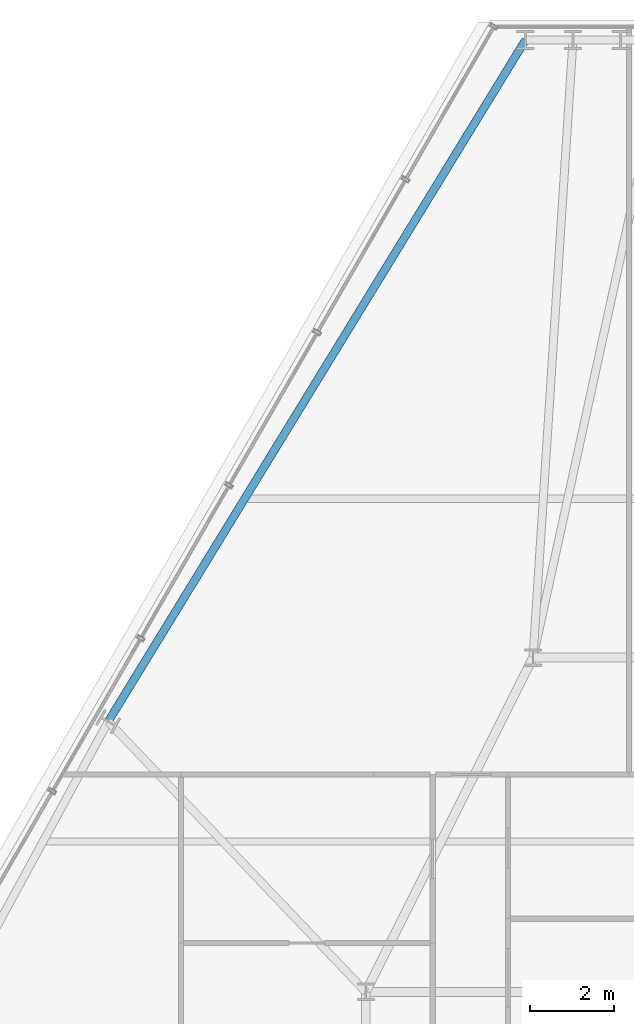
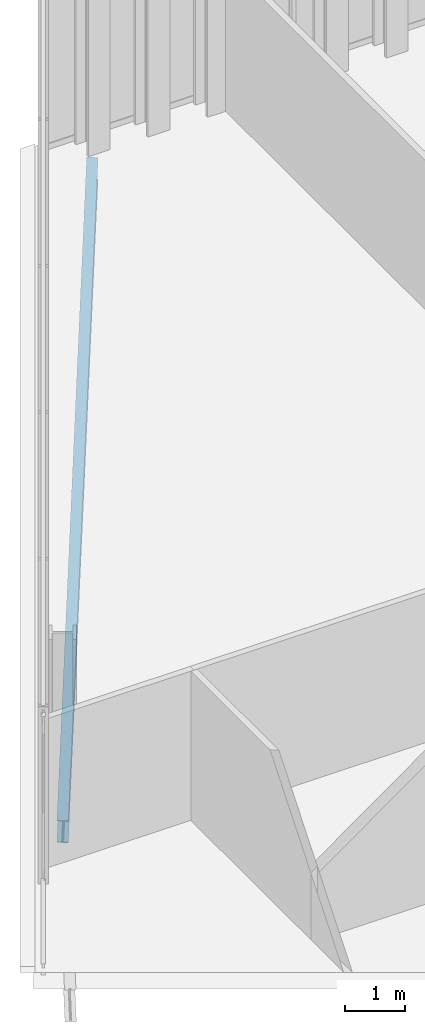
# One storey, part 20 of 33: 1 beam.
"""IFC4 building model written with IfcOpenShell, lengths in metres."""

from ifc_helpers import new_model, si_unit, direction, frame, origin, origin_2d, place, context, subcontext, project, spatial, i_section, extrude, material, material_profile, profile_set, type_object, element, save


model = new_model("IFC4")

# Units and contexts
model_context = context("Model", 3, precision=1e-05, world=origin(), true_north=direction((0.0, 1.0)))
body_context = subcontext(model_context, "Body", "Model", "MODEL_VIEW")
ifc_project = project(units=[si_unit("LENGTHUNIT", "METRE"), si_unit("AREAUNIT", "SQUARE_METRE"), si_unit("VOLUMEUNIT", "CUBIC_METRE"), si_unit("PLANEANGLEUNIT", "RADIAN"), si_unit("MASSUNIT", "GRAM", prefix="KILO")], contexts=[model_context])

# Site, building, storey
site_placement = place(None, origin())
site = spatial("IfcSite", under=ifc_project, at=site_placement, CompositionType="ELEMENT")
building_placement = place(site_placement, origin())
building = spatial("IfcBuilding", under=site, at=building_placement, Name="Ndaravel Arena Tower", CompositionType="ELEMENT")
storey_placement = place(building_placement, frame((0.0, 0.0, 184.0)))
storey = spatial("IfcBuildingStorey", under=building, at=storey_placement, Name="L44", CompositionType="ELEMENT", Elevation=184.0)

# Beam
ifc_material = material(Name="Steel S355", Category="steel")
ifc_material_profile = material_profile(ifc_material, i_section(OverallWidth=0.18994140625, OverallDepth=0.449951171875, WebThickness=0.009521484375, FlangeThickness=0.0146484375, FilletRadius=0.02099609375, at=origin_2d()), Name="IPE 450")
ifc_profile_set = profile_set([ifc_material_profile], Name="Steel S355")
beam_type = type_object("IfcBeamType", Name="BM-SPAN-IPE450", PredefinedType="SPANDREL", material=ifc_profile_set)
beam_placement = place(storey_placement, frame((38.019287109375, 45.97265625, -0.445068359375), z_axis=(-0.522125427863, -0.852868710634, 0.0), x_axis=(0.852868710634, -0.522125427863, 0.0)))
element("IfcBeam", 1, at=beam_placement, inside=storey, type_object=beam_type, Name="L44 Perimeter Spandrel Beam SP-18", PredefinedType="SPANDREL", context=body_context, shape_type="SweptSolid", body=[
    extrude(i_section(OverallWidth=0.18994140625, OverallDepth=0.449951171875, WebThickness=0.009521484375, FlangeThickness=0.0146484375, FilletRadius=0.02099609375, at=origin_2d()), origin(), (0.0, 0.0, 1.0), 19.119873046875),
])

save(model, "model.ifc")
